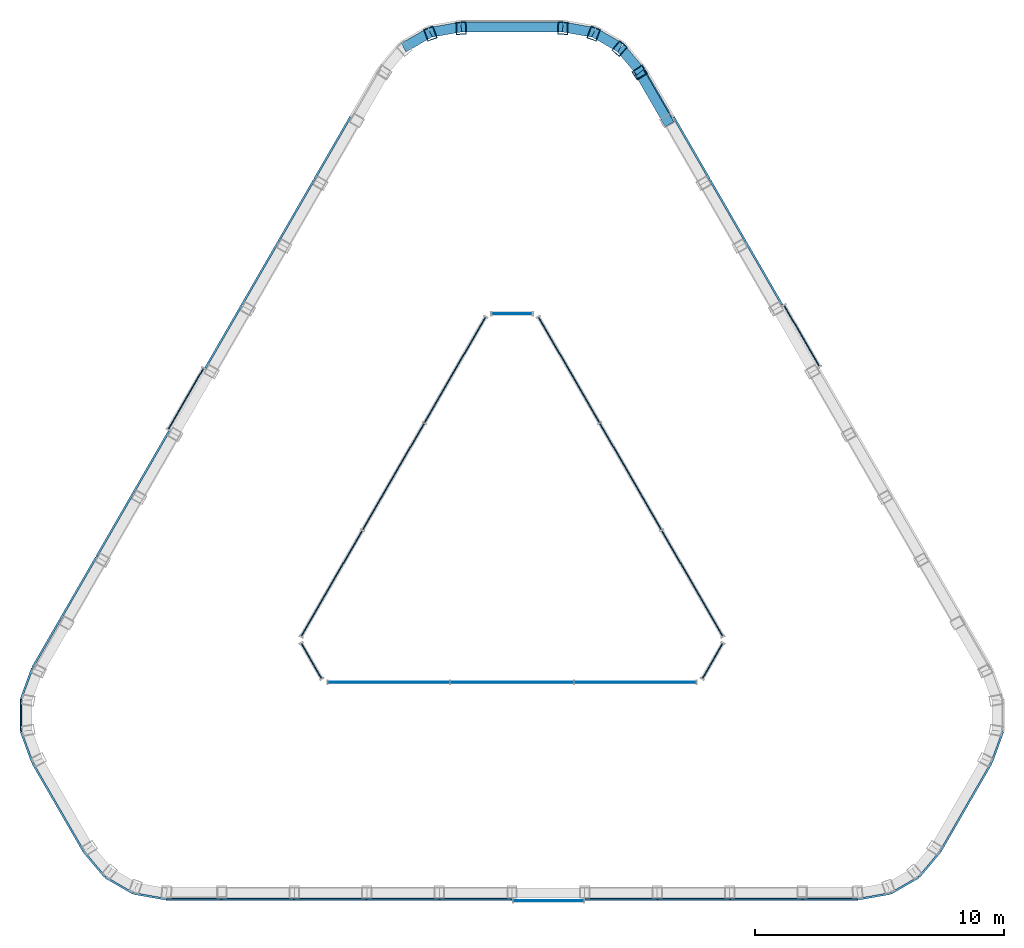
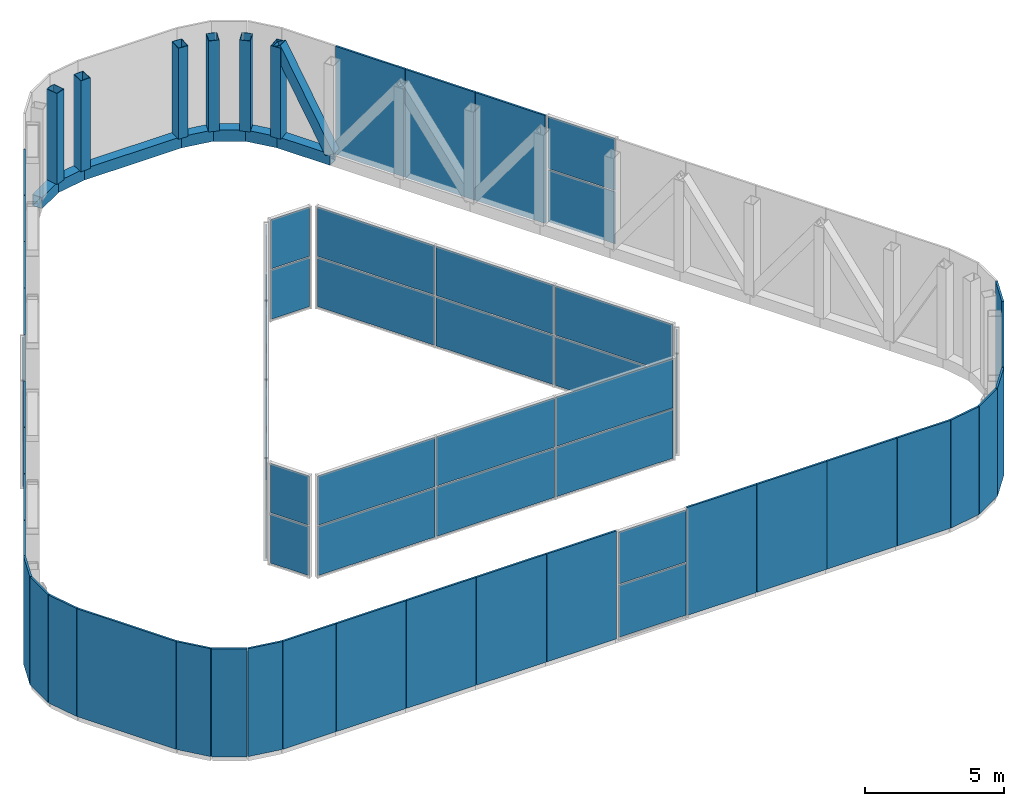
# One storey, part 4 of 5: 62 plates, 14 members, 9 elements without a shape of their own.
"""IFC4 building model written with IfcOpenShell, lengths in metres."""

from ifc_helpers import new_model, si_unit, direction, frame, origin, origin_2d, place, context, subcontext, project, spatial, rectangle, hollow_rectangle, extrude, material, layer, layer_set, material_profile, profile_set, type_object, element, aggregate, save


model = new_model("IFC4")

# Units and contexts
model_context = context("Model", 3, precision=1e-05, world=origin(), true_north=direction((0.0, 1.0)))
body_context = subcontext(model_context, "Body", "Model", "MODEL_VIEW")
ifc_project = project(units=[si_unit("LENGTHUNIT", "METRE"), si_unit("AREAUNIT", "SQUARE_METRE"), si_unit("VOLUMEUNIT", "CUBIC_METRE"), si_unit("PLANEANGLEUNIT", "RADIAN"), si_unit("MASSUNIT", "GRAM", prefix="KILO")], contexts=[model_context])

# Site, building, storey
site_placement = place(None, origin())
site = spatial("IfcSite", under=ifc_project, at=site_placement, CompositionType="ELEMENT")
building_placement = place(site_placement, origin())
building = spatial("IfcBuilding", under=site, at=building_placement, Name="Apuvela Tower Hotel", CompositionType="ELEMENT")
storey_placement = place(building_placement, frame((0.0, 0.0, 366.800048828125)))
storey = spatial("IfcBuildingStorey", under=building, at=storey_placement, Name="R-6 ROOF", CompositionType="ELEMENT", Elevation=366.800048828125)

# Members
ifc_material_1 = material(Name="Steel S355, black paint system", Category="steel")
ifc_material_profile_1 = material_profile(ifc_material_1, hollow_rectangle(XDim=0.39990234375, YDim=0.39990234375, WallThickness=0.01611328125, at=origin_2d()), Name="HSS 400x400x16")
ifc_profile_set_1 = profile_set([ifc_material_profile_1], Name="Steel S355, black paint system")
member_type_1 = type_object("IfcMemberType", Name="ENV-CROWN-BRACE-400x400", PredefinedType="BRACE", material=ifc_profile_set_1)
member_1_placement = place(storey_placement, frame((6.236572265625, 17.050537109375, 0.25), z_axis=(-0.242948815269, 0.420705831623, 0.874060911148), x_axis=(-0.865977099567, -0.500083656027, 0.0)))
element("IfcMember", 1, at=member_1_placement, inside=storey, type_object=member_type_1, Name="Crown frame brace 50", PredefinedType="BRACE", context=body_context, shape_type="SweptSolid", body=[
    extrude(hollow_rectangle(XDim=0.39990234375, YDim=0.39990234375, WallThickness=0.01611328125, at=origin_2d()), origin(), (0.0, 0.0, 1.0), 4.576416015625),
])
ifc_material_profile_2 = material_profile(ifc_material_1, hollow_rectangle(XDim=0.39990234375, YDim=0.5, WallThickness=0.02001953125, at=origin_2d()), Name="HSS 500x400x20")
ifc_profile_set_2 = profile_set([ifc_material_profile_2], Name="Steel S355, black paint system")
member_type_2 = type_object("IfcMemberType", Name="ENV-CROWN-POST-500x400", PredefinedType="POST", material=ifc_profile_set_2)
for number, where, z_axis, x_axis, name in (
    (2, (4.318115234375, 19.9375, 0.25), (0.0, 0.0, 1.0), (-0.763579690807, 0.645713601984, 0.0), "Crown frame post 1"),
    (3, (3.277099609375, 20.538330078125, 0.25), (0.0, 0.0, 1.0), (-0.940994228291, 0.33842260906, 0.0), "Crown frame post 2"),
    (4, (2.041015625, 20.75634765625, 0.25), (0.0, 0.0, 1.0), (-0.999161138639, 0.040951422845, 0.0), "Crown frame post 3"),
    (5, (-2.041015625, 20.75634765625, 0.25), (0.0, 0.0, 1.0), (-0.999161138639, -0.040951422845, 0.0), "Crown frame post 4"),
    (6, (-3.277099609375, 20.538330078125, 0.25), (0.0, 0.0, 1.0), (-0.940994228291, -0.33842260906, 0.0), "Crown frame post 5"),
    (7, (5.124755859375, 18.975830078125, 0.25), (0.0, 0.0, 1.0), (-0.553467140498, 0.832871013056, 0.0), "Crown frame post 51"),
):
    element("IfcMember", number, at=place(storey_placement, frame(where, z_axis=z_axis, x_axis=x_axis)), inside=storey, type_object=member_type_2, Name=name, PredefinedType="POST", context=body_context, shape_type="SweptSolid", body=[
        extrude(hollow_rectangle(XDim=0.39990234375, YDim=0.5, WallThickness=0.02001953125, at=origin_2d()), origin(), (0.0, 0.0, 1.0), 4.0),
    ])
ifc_material_profile_3 = material_profile(ifc_material_1, hollow_rectangle(XDim=0.39990234375, YDim=0.5, WallThickness=0.01611328125, at=origin_2d()), Name="HSS 500x400x16")
ifc_profile_set_3 = profile_set([ifc_material_profile_3], Name="Steel S355, black paint system")
member_type_3 = type_object("IfcMemberType", Name="ENV-CROWN-RING-500x400", PredefinedType="STRINGER", material=ifc_profile_set_3)
member_2_placement = place(storey_placement, frame((4.3505859375, 19.976318359375, 0.0), z_axis=(-0.865992225662, 0.50005746179, 0.0), x_axis=(-0.50005746179, -0.865992225662, 0.0)))
element("IfcMember", 8, at=member_2_placement, inside=storey, type_object=member_type_3, Name="Crown frame ring beam 6.1", PredefinedType="STRINGER", context=body_context, shape_type="SweptSolid", body=[
    extrude(hollow_rectangle(XDim=0.39990234375, YDim=0.5, WallThickness=0.01611328125, at=origin_2d()), origin(), (0.0, 0.0, 1.0), 1.219482421875),
])
member_3_placement = place(storey_placement, frame((3.29443359375, 20.586181640625, 0.0), z_axis=(-0.984810677158, 0.173631593197, 0.0), x_axis=(-0.173631593197, -0.984810677158, 0.0)))
element("IfcMember", 9, at=member_3_placement, inside=storey, type_object=member_type_3, Name="Crown frame ring beam 6.2", PredefinedType="STRINGER", context=body_context, shape_type="SweptSolid", body=[
    extrude(hollow_rectangle(XDim=0.39990234375, YDim=0.5, WallThickness=0.01611328125, at=origin_2d()), origin(), (0.0, 0.0, 1.0), 1.268310546875),
])
member_4_placement = place(storey_placement, frame((2.04541015625, 20.806396484375, 0.0), z_axis=(-1.0, 0.0, 0.0), x_axis=(0.0, -1.0, 0.0)))
element("IfcMember", 10, at=member_4_placement, inside=storey, type_object=member_type_3, Name="Crown frame ring beam 6.3", PredefinedType="STRINGER", context=body_context, shape_type="SweptSolid", body=[
    extrude(hollow_rectangle(XDim=0.39990234375, YDim=0.5, WallThickness=0.01611328125, at=origin_2d()), origin(), (0.0, 0.0, 1.0), 4.0908203125),
])
member_5_placement = place(storey_placement, frame((-2.04541015625, 20.806396484375, 0.0), z_axis=(-0.984810677158, -0.173631593197, 0.0), x_axis=(0.173631593197, -0.984810677158, 0.0)))
element("IfcMember", 11, at=member_5_placement, inside=storey, type_object=member_type_3, Name="Crown frame ring beam 6.4", PredefinedType="STRINGER", context=body_context, shape_type="SweptSolid", body=[
    extrude(hollow_rectangle(XDim=0.39990234375, YDim=0.5, WallThickness=0.01611328125, at=origin_2d()), origin(), (0.0, 0.0, 1.0), 1.268310546875),
])
member_6_placement = place(storey_placement, frame((-3.29443359375, 20.586181640625, 0.0), z_axis=(-0.865992225662, -0.50005746179, 0.0), x_axis=(0.50005746179, -0.865992225662, 0.0)))
element("IfcMember", 12, at=member_6_placement, inside=storey, type_object=member_type_3, Name="Crown frame ring beam 6.5", PredefinedType="STRINGER", context=body_context, shape_type="SweptSolid", body=[
    extrude(hollow_rectangle(XDim=0.39990234375, YDim=0.5, WallThickness=0.01611328125, at=origin_2d()), origin(), (0.0, 0.0, 1.0), 1.219482421875),
])
member_7_placement = place(storey_placement, frame((6.27783203125, 17.07861328125, 0.0), z_axis=(-0.499941024108, 0.866059450854, 0.0), x_axis=(-0.866059450854, -0.499941024108, 0.0)))
element("IfcMember", 13, at=member_7_placement, inside=storey, type_object=member_type_3, Name="Crown frame ring beam 6.50", PredefinedType="STRINGER", context=body_context, shape_type="SweptSolid", body=[
    extrude(hollow_rectangle(XDim=0.39990234375, YDim=0.5, WallThickness=0.01611328125, at=origin_2d()), origin(), (0.0, 0.0, 1.0), 2.223876953125),
])
member_8_placement = place(storey_placement, frame((5.166015625, 19.004638671875, 0.0), z_axis=(-0.642830918567, 0.766008100567, 0.0), x_axis=(-0.766008100567, -0.642830918567, 0.0)))
element("IfcMember", 14, at=member_8_placement, inside=storey, type_object=member_type_3, Name="Crown frame ring beam 6.51", PredefinedType="STRINGER", context=body_context, shape_type="SweptSolid", body=[
    extrude(hollow_rectangle(XDim=0.39990234375, YDim=0.5, WallThickness=0.01611328125, at=origin_2d()), origin(), (0.0, 0.0, 1.0), 1.2685546875),
])

# Plates
ifc_material_2 = material(Name="Aluminium 6063-T6, black anodised perforated panel", Category="aluminium")
ifc_layer_1 = layer(ifc_material_2, 0.080078125)
ifc_layer_set_1 = layer_set([ifc_layer_1], Name="ENV-CROWN-SCREEN-80")
plate_type_1 = type_object("IfcPlateType", Name="ENV-CROWN-SCREEN-80", PredefinedType="SHEET", material=ifc_layer_set_1)
for number, where, z_axis, x_axis, name in (
    (15, (-7.206298828125, 15.95068359375, 0.0), (0.0, 0.0, 1.0), (-0.5, -0.866025403784, 0.0), "Crown screen 8"),
    (16, (-8.6650390625, 13.42431640625, 0.0), (0.0, 0.0, 1.0), (-0.5, -0.866025403784, 0.0), "Crown screen 9"),
    (17, (-10.12353515625, 10.897705078125, 0.0), (0.0, 0.0, 1.0), (-0.5, -0.866025403784, 0.0), "Crown screen 10"),
    (18, (-11.582275390625, 8.371337890625, 0.0), (0.0, 0.0, 1.0), (-0.5, -0.866025403784, 0.0), "Crown screen 11"),
    (19, (-14.49951171875, 3.318359375, 0.0), (0.0, 0.0, 1.0), (-0.5, -0.866025403784, 0.0), "Crown screen 13"),
    (20, (-15.958251953125, 0.7919921875, 0.0), (0.0, 0.0, 1.0), (-0.5, -0.866025403784, 0.0), "Crown screen 14"),
    (21, (-17.4169921875, -1.734619140625, 0.0), (0.0, 0.0, 1.0), (-0.5, -0.866025403784, 0.0), "Crown screen 15"),
):
    element("IfcPlate", number, at=place(storey_placement, frame(where, z_axis=z_axis, x_axis=x_axis)), inside=storey, type_object=plate_type_1, Name=name, PredefinedType="SHEET", context=body_context, shape_type="SweptSolid", body=[
        extrude(rectangle(XDim=2.897216796875, YDim=0.080078125, at=origin_2d()), origin(), (0.0, 0.0, 1.0), 4.75),
    ])
plate_1_placement = place(storey_placement, frame((-18.702880859375, -3.962158203125, 0.0), z_axis=(0.0, 0.0, 1.0), x_axis=(-0.5, -0.866025403784, 0.0)))
element("IfcPlate", 22, at=plate_1_placement, inside=storey, type_object=plate_type_1, Name="Crown screen 16", PredefinedType="SHEET", context=body_context, shape_type="SweptSolid", body=[
    extrude(rectangle(XDim=2.20751953125, YDim=0.080078125, at=origin_2d()), origin(), (0.0, 0.0, 1.0), 4.75),
])
plate_2_placement = place(storey_placement, frame((-19.487548828125, -5.552490234375, 0.0), z_axis=(0.0, 0.0, 1.0), x_axis=(-0.342020143326, -0.939692620786, 0.0)))
element("IfcPlate", 23, at=plate_2_placement, inside=storey, type_object=plate_type_1, Name="Crown screen 17", PredefinedType="SHEET", context=body_context, shape_type="SweptSolid", body=[
    extrude(rectangle(XDim=1.311767578125, YDim=0.080078125, at=origin_2d()), origin(), (0.0, 0.0, 1.0), 4.75),
])
plate_3_placement = place(storey_placement, frame((-19.71533203125, -6.830078125, 0.0), z_axis=(0.0, 0.0, 1.0), x_axis=(0.0, -1.0, 0.0)))
element("IfcPlate", 24, at=plate_3_placement, inside=storey, type_object=plate_type_1, Name="Crown screen 18", PredefinedType="SHEET", context=body_context, shape_type="SweptSolid", body=[
    extrude(rectangle(XDim=1.2841796875, YDim=0.080078125, at=origin_2d()), origin(), (0.0, 0.0, 1.0), 4.75),
])
plate_4_placement = place(storey_placement, frame((-19.487548828125, -8.10791015625, 0.0), z_axis=(0.0, 0.0, 1.0), x_axis=(0.342020143326, -0.939692620786, 0.0)))
element("IfcPlate", 25, at=plate_4_placement, inside=storey, type_object=plate_type_1, Name="Crown screen 19", PredefinedType="SHEET", context=body_context, shape_type="SweptSolid", body=[
    extrude(rectangle(XDim=1.311767578125, YDim=0.080078125, at=origin_2d()), origin(), (0.0, 0.0, 1.0), 4.75),
])
plate_5_placement = place(storey_placement, frame((-18.226806640625, -10.523193359375, 0.0), z_axis=(0.0, 0.0, 1.0), x_axis=(0.5, -0.866025403784, 0.0)))
element("IfcPlate", 26, at=plate_5_placement, inside=storey, type_object=plate_type_1, Name="Crown screen 20", PredefinedType="SHEET", context=body_context, shape_type="SweptSolid", body=[
    extrude(rectangle(XDim=4.11279296875, YDim=0.080078125, at=origin_2d()), origin(), (0.0, 0.0, 1.0), 4.75),
])
plate_6_placement = place(storey_placement, frame((-16.765380859375, -12.82275390625, 0.0), z_axis=(0.0, 0.0, 1.0), x_axis=(0.642787609687, -0.766044443119, 0.0)))
element("IfcPlate", 27, at=plate_6_placement, inside=storey, type_object=plate_type_1, Name="Crown screen 21", PredefinedType="SHEET", context=body_context, shape_type="SweptSolid", body=[
    extrude(rectangle(XDim=1.311767578125, YDim=0.080078125, at=origin_2d()), origin(), (0.0, 0.0, 1.0), 4.75),
])
plate_7_placement = place(storey_placement, frame((-15.772705078125, -13.658935546875, 0.0), z_axis=(0.0, 0.0, 1.0), x_axis=(0.866025403784, -0.5, 0.0)))
element("IfcPlate", 28, at=plate_7_placement, inside=storey, type_object=plate_type_1, Name="Crown screen 22", PredefinedType="SHEET", context=body_context, shape_type="SweptSolid", body=[
    extrude(rectangle(XDim=1.2841796875, YDim=0.080078125, at=origin_2d()), origin(), (0.0, 0.0, 1.0), 4.75),
])
plate_8_placement = place(storey_placement, frame((-14.55224609375, -14.1005859375, 0.0), z_axis=(0.0, 0.0, 1.0), x_axis=(0.984807753012, -0.173648177667, 0.0)))
element("IfcPlate", 29, at=plate_8_placement, inside=storey, type_object=plate_type_1, Name="Crown screen 23", PredefinedType="SHEET", context=body_context, shape_type="SweptSolid", body=[
    extrude(rectangle(XDim=1.311767578125, YDim=0.080078125, at=origin_2d()), origin(), (0.0, 0.0, 1.0), 4.75),
])
plate_9_placement = place(storey_placement, frame((-12.782958984375, -14.21630859375, 0.0), z_axis=(0.0, 0.0, 1.0), x_axis=(1.0, 0.0, 0.0)))
element("IfcPlate", 30, at=plate_9_placement, inside=storey, type_object=plate_type_1, Name="Crown screen 24", PredefinedType="SHEET", context=body_context, shape_type="SweptSolid", body=[
    extrude(rectangle(XDim=2.20751953125, YDim=0.080078125, at=origin_2d()), origin(), (0.0, 0.0, 1.0), 4.75),
])
for number, where, z_axis, x_axis, name in (
    (31, (-10.210693359375, -14.21630859375, 0.0), (0.0, 0.0, 1.0), (1.0, 0.0, 0.0), "Crown screen 25"),
    (32, (-7.293212890625, -14.21630859375, 0.0), (0.0, 0.0, 1.0), (1.0, 0.0, 0.0), "Crown screen 26"),
    (33, (-4.3759765625, -14.21630859375, 0.0), (0.0, 0.0, 1.0), (1.0, 0.0, 0.0), "Crown screen 27"),
    (34, (-1.458740234375, -14.21630859375, 0.0), (0.0, 0.0, 1.0), (1.0, 0.0, 0.0), "Crown screen 28"),
    (35, (4.3759765625, -14.21630859375, 0.0), (0.0, 0.0, 1.0), (1.0, 0.0, 0.0), "Crown screen 30"),
    (36, (7.293212890625, -14.21630859375, 0.0), (0.0, 0.0, 1.0), (1.0, 0.0, 0.0), "Crown screen 31"),
    (37, (10.210693359375, -14.21630859375, 0.0), (0.0, 0.0, 1.0), (1.0, 0.0, 0.0), "Crown screen 32"),
):
    element("IfcPlate", number, at=place(storey_placement, frame(where, z_axis=z_axis, x_axis=x_axis)), inside=storey, type_object=plate_type_1, Name=name, PredefinedType="SHEET", context=body_context, shape_type="SweptSolid", body=[
        extrude(rectangle(XDim=2.897216796875, YDim=0.080078125, at=origin_2d()), origin(), (0.0, 0.0, 1.0), 4.75),
    ])
plate_10_placement = place(storey_placement, frame((12.782958984375, -14.21630859375, 0.0), z_axis=(0.0, 0.0, 1.0), x_axis=(1.0, 0.0, 0.0)))
element("IfcPlate", 38, at=plate_10_placement, inside=storey, type_object=plate_type_1, Name="Crown screen 33", PredefinedType="SHEET", context=body_context, shape_type="SweptSolid", body=[
    extrude(rectangle(XDim=2.20751953125, YDim=0.080078125, at=origin_2d()), origin(), (0.0, 0.0, 1.0), 4.75),
])
plate_11_placement = place(storey_placement, frame((14.55224609375, -14.1005859375, 0.0), z_axis=(0.0, 0.0, 1.0), x_axis=(0.984807753012, 0.173648177667, 0.0)))
element("IfcPlate", 39, at=plate_11_placement, inside=storey, type_object=plate_type_1, Name="Crown screen 34", PredefinedType="SHEET", context=body_context, shape_type="SweptSolid", body=[
    extrude(rectangle(XDim=1.311767578125, YDim=0.080078125, at=origin_2d()), origin(), (0.0, 0.0, 1.0), 4.75),
])
plate_12_placement = place(storey_placement, frame((15.772705078125, -13.658935546875, 0.0), z_axis=(0.0, 0.0, 1.0), x_axis=(0.866025403784, 0.5, 0.0)))
element("IfcPlate", 40, at=plate_12_placement, inside=storey, type_object=plate_type_1, Name="Crown screen 35", PredefinedType="SHEET", context=body_context, shape_type="SweptSolid", body=[
    extrude(rectangle(XDim=1.2841796875, YDim=0.080078125, at=origin_2d()), origin(), (0.0, 0.0, 1.0), 4.75),
])
plate_13_placement = place(storey_placement, frame((16.765380859375, -12.82275390625, 0.0), z_axis=(0.0, 0.0, 1.0), x_axis=(0.642787609687, 0.766044443119, 0.0)))
element("IfcPlate", 41, at=plate_13_placement, inside=storey, type_object=plate_type_1, Name="Crown screen 36", PredefinedType="SHEET", context=body_context, shape_type="SweptSolid", body=[
    extrude(rectangle(XDim=1.311767578125, YDim=0.080078125, at=origin_2d()), origin(), (0.0, 0.0, 1.0), 4.75),
])
plate_14_placement = place(storey_placement, frame((18.226806640625, -10.523193359375, 0.0), z_axis=(0.0, 0.0, 1.0), x_axis=(0.5, 0.866025403784, 0.0)))
element("IfcPlate", 42, at=plate_14_placement, inside=storey, type_object=plate_type_1, Name="Crown screen 37", PredefinedType="SHEET", context=body_context, shape_type="SweptSolid", body=[
    extrude(rectangle(XDim=4.11279296875, YDim=0.080078125, at=origin_2d()), origin(), (0.0, 0.0, 1.0), 4.75),
])
plate_15_placement = place(storey_placement, frame((19.487548828125, -8.10791015625, 0.0), z_axis=(0.0, 0.0, 1.0), x_axis=(0.342020143326, 0.939692620786, 0.0)))
element("IfcPlate", 43, at=plate_15_placement, inside=storey, type_object=plate_type_1, Name="Crown screen 38", PredefinedType="SHEET", context=body_context, shape_type="SweptSolid", body=[
    extrude(rectangle(XDim=1.311767578125, YDim=0.080078125, at=origin_2d()), origin(), (0.0, 0.0, 1.0), 4.75),
])
for number, where, z_axis, x_axis, name in (
    (44, (10.12353515625, 10.897705078125, 0.0), (0.0, 0.0, 1.0), (-0.5, 0.866025403784, 0.0), "Crown screen 47"),
    (45, (8.6650390625, 13.42431640625, 0.0), (0.0, 0.0, 1.0), (-0.5, 0.866025403784, 0.0), "Crown screen 48"),
    (46, (7.206298828125, 15.95068359375, 0.0), (0.0, 0.0, 1.0), (-0.5, 0.866025403784, 0.0), "Crown screen 49"),
):
    element("IfcPlate", number, at=place(storey_placement, frame(where, z_axis=z_axis, x_axis=x_axis)), inside=storey, type_object=plate_type_1, Name=name, PredefinedType="SHEET", context=body_context, shape_type="SweptSolid", body=[
        extrude(rectangle(XDim=2.897216796875, YDim=0.080078125, at=origin_2d()), origin(), (0.0, 0.0, 1.0), 4.75),
    ])

# Curtain wall, plates
ifc_material_3 = material(Name="Aluminium 6063-T6, dark bronze anodised", Category="aluminium")
ifc_layer_2 = layer(ifc_material_3, 0.199951171875)
ifc_layer_set_2 = layer_set([ifc_layer_2], Name="ENV-CW-C")
curtain_wall_type_1 = type_object("IfcCurtainWallType", Name="ENV-CW-C", PredefinedType="NOTDEFINED", material=ifc_layer_set_2)
curtain_wall_1_placement = place(storey_placement, origin())
curtain_wall_1 = element("IfcCurtainWall", 47, at=curtain_wall_1_placement, inside=storey, type_object=curtain_wall_type_1, Name="Crown glazing 12 R-6 ROOF", PredefinedType="NOTDEFINED")
ifc_material_4 = material(Name="Glass, dark tinted laminated insulated glazing unit", Category="glass")
ifc_layer_3 = layer(ifc_material_4, 0.0400390625)
ifc_layer_set_3 = layer_set([ifc_layer_3], Name="ENV-PANEL-IGU-40")
plate_type_2 = type_object("IfcPlateType", Name="ENV-PANEL-IGU-40", PredefinedType="CURTAIN_PANEL", material=ifc_layer_set_3)
plate_16_placement = place(storey_placement, frame((-13.093017578125, 5.874755859375, 0.06494140625), z_axis=(0.0, 0.0, 1.0), x_axis=(-0.499980601426, -0.866036603266, 0.0)))
plate_16 = element("IfcPlate", 48, at=plate_16_placement, type_object=plate_type_2, Name="CW-C panel 1.1", PredefinedType="CURTAIN_PANEL", context=body_context, shape_type="SweptSolid", body=[
    extrude(rectangle(XDim=2.787353515625, YDim=0.0400390625, at=origin_2d()), origin(), (0.0, 0.0, 1.0), 2.277587890625),
])
plate_17_placement = place(storey_placement, frame((-13.093017578125, 5.874755859375, 2.4072265625), z_axis=(0.0, 0.0, 1.0), x_axis=(-0.499980601426, -0.866036603266, 0.0)))
plate_17 = element("IfcPlate", 49, at=plate_17_placement, type_object=plate_type_2, Name="CW-C panel 1.2", PredefinedType="CURTAIN_PANEL", context=body_context, shape_type="SweptSolid", body=[
    extrude(rectangle(XDim=2.787353515625, YDim=0.0400390625, at=origin_2d()), origin(), (0.0, 0.0, 1.0), 2.277587890625),
])
aggregate(curtain_wall_1, [plate_16, plate_17])

curtain_wall_2_placement = place(storey_placement, origin())
curtain_wall_2 = element("IfcCurtainWall", 50, at=curtain_wall_2_placement, inside=storey, type_object=curtain_wall_type_1, Name="Crown glazing 29 R-6 ROOF", PredefinedType="NOTDEFINED")
plate_18_placement = place(storey_placement, frame((1.458740234375, -14.276123046875, 0.06494140625), z_axis=(0.0, 0.0, 1.0), x_axis=(1.0, 0.0, 0.0)))
plate_18 = element("IfcPlate", 51, at=plate_18_placement, type_object=plate_type_2, Name="CW-C panel 1.1", PredefinedType="CURTAIN_PANEL", context=body_context, shape_type="SweptSolid", body=[
    extrude(rectangle(XDim=2.787353515625, YDim=0.0400390625, at=origin_2d()), origin(), (0.0, 0.0, 1.0), 2.277587890625),
])
plate_19_placement = place(storey_placement, frame((1.458740234375, -14.276123046875, 2.4072265625), z_axis=(0.0, 0.0, 1.0), x_axis=(1.0, 0.0, 0.0)))
plate_19 = element("IfcPlate", 52, at=plate_19_placement, type_object=plate_type_2, Name="CW-C panel 1.2", PredefinedType="CURTAIN_PANEL", context=body_context, shape_type="SweptSolid", body=[
    extrude(rectangle(XDim=2.787353515625, YDim=0.0400390625, at=origin_2d()), origin(), (0.0, 0.0, 1.0), 2.277587890625),
])
aggregate(curtain_wall_2, [plate_18, plate_19])

curtain_wall_3_placement = place(storey_placement, origin())
curtain_wall_3 = element("IfcCurtainWall", 53, at=curtain_wall_3_placement, inside=storey, type_object=curtain_wall_type_1, Name="Crown glazing 46 R-6 ROOF", PredefinedType="NOTDEFINED")
plate_20_placement = place(storey_placement, frame((11.63427734375, 8.4013671875, 0.06494140625), z_axis=(0.0, 0.0, 1.0), x_axis=(-0.500006310028, 0.866021760657, 0.0)))
plate_20 = element("IfcPlate", 54, at=plate_20_placement, type_object=plate_type_2, Name="CW-C panel 1.1", PredefinedType="CURTAIN_PANEL", context=body_context, shape_type="SweptSolid", body=[
    extrude(rectangle(XDim=2.787353515625, YDim=0.0400390625, at=origin_2d()), origin(), (0.0, 0.0, 1.0), 2.277587890625),
])
plate_21_placement = place(storey_placement, frame((11.63427734375, 8.4013671875, 2.4072265625), z_axis=(0.0, 0.0, 1.0), x_axis=(-0.500006310028, 0.866021760657, 0.0)))
plate_21 = element("IfcPlate", 55, at=plate_21_placement, type_object=plate_type_2, Name="CW-C panel 1.2", PredefinedType="CURTAIN_PANEL", context=body_context, shape_type="SweptSolid", body=[
    extrude(rectangle(XDim=2.787353515625, YDim=0.0400390625, at=origin_2d()), origin(), (0.0, 0.0, 1.0), 2.277587890625),
])
aggregate(curtain_wall_3, [plate_20, plate_21])

ifc_layer_4 = layer(ifc_material_3, 0.199951171875)
ifc_layer_set_4 = layer_set([ifc_layer_4], Name="ENV-CW-A")
curtain_wall_type_2 = type_object("IfcCurtainWallType", Name="ENV-CW-A", PredefinedType="NOTDEFINED", material=ifc_layer_set_4)
curtain_wall_4_placement = place(storey_placement, origin())
curtain_wall_4 = element("IfcCurtainWall", 56, at=curtain_wall_4_placement, inside=storey, type_object=curtain_wall_type_2, Name="Atrium glazing 1 R-6 ROOF", PredefinedType="NOTDEFINED")
plate_22_placement = place(storey_placement, frame((0.0, 9.300048828125, 0.06494140625), z_axis=(0.0, 0.0, 1.0), x_axis=(-1.0, 0.0, 0.0)))
plate_22 = element("IfcPlate", 57, at=plate_22_placement, type_object=plate_type_2, Name="CW-A panel 1.1", PredefinedType="CURTAIN_PANEL", context=body_context, shape_type="SweptSolid", body=[
    extrude(rectangle(XDim=1.60205078125, YDim=0.0400390625, at=origin_2d()), origin(), (0.0, 0.0, 1.0), 2.152587890625),
])
plate_23_placement = place(storey_placement, frame((0.0, 9.300048828125, 2.2822265625), z_axis=(0.0, 0.0, 1.0), x_axis=(-1.0, 0.0, 0.0)))
plate_23 = element("IfcPlate", 58, at=plate_23_placement, type_object=plate_type_2, Name="CW-A panel 1.2", PredefinedType="CURTAIN_PANEL", context=body_context, shape_type="SweptSolid", body=[
    extrude(rectangle(XDim=1.60205078125, YDim=0.0400390625, at=origin_2d()), origin(), (0.0, 0.0, 1.0), 2.152587890625),
])
aggregate(curtain_wall_4, [plate_22, plate_23])

curtain_wall_5_placement = place(storey_placement, origin())
curtain_wall_5 = element("IfcCurtainWall", 59, at=curtain_wall_5_placement, inside=storey, type_object=curtain_wall_type_2, Name="Atrium glazing 2 R-6 ROOF", PredefinedType="NOTDEFINED")
plate_24_placement = place(storey_placement, frame((-2.28857421875, 7.035888671875, 0.06494140625), z_axis=(0.0, 0.0, 1.0), x_axis=(-0.499999069899, -0.866025940778, 0.0)))
plate_24 = element("IfcPlate", 60, at=plate_24_placement, type_object=plate_type_2, Name="CW-A panel 1.1", PredefinedType="CURTAIN_PANEL", context=body_context, shape_type="SweptSolid", body=[
    extrude(rectangle(XDim=4.86767578125, YDim=0.0400390625, at=origin_2d()), origin(), (0.0, 0.0, 1.0), 2.152587890625),
])
plate_25_placement = place(storey_placement, frame((-2.28857421875, 7.035888671875, 2.2822265625), z_axis=(0.0, 0.0, 1.0), x_axis=(-0.499999069899, -0.866025940778, 0.0)))
plate_25 = element("IfcPlate", 61, at=plate_25_placement, type_object=plate_type_2, Name="CW-A panel 1.2", PredefinedType="CURTAIN_PANEL", context=body_context, shape_type="SweptSolid", body=[
    extrude(rectangle(XDim=4.86767578125, YDim=0.0400390625, at=origin_2d()), origin(), (0.0, 0.0, 1.0), 2.152587890625),
])
plate_26_placement = place(storey_placement, frame((-4.76318359375, 2.75, 0.06494140625), z_axis=(0.0, 0.0, 1.0), x_axis=(-0.499999069899, -0.866025940778, 0.0)))
plate_26 = element("IfcPlate", 62, at=plate_26_placement, type_object=plate_type_2, Name="CW-A panel 2.1", PredefinedType="CURTAIN_PANEL", context=body_context, shape_type="SweptSolid", body=[
    extrude(rectangle(XDim=4.900146484375, YDim=0.0400390625, at=origin_2d()), origin(), (0.0, 0.0, 1.0), 2.152587890625),
])
plate_27_placement = place(storey_placement, frame((-4.76318359375, 2.75, 2.2822265625), z_axis=(0.0, 0.0, 1.0), x_axis=(-0.499999069899, -0.866025940778, 0.0)))
plate_27 = element("IfcPlate", 63, at=plate_27_placement, type_object=plate_type_2, Name="CW-A panel 2.2", PredefinedType="CURTAIN_PANEL", context=body_context, shape_type="SweptSolid", body=[
    extrude(rectangle(XDim=4.900146484375, YDim=0.0400390625, at=origin_2d()), origin(), (0.0, 0.0, 1.0), 2.152587890625),
])
plate_28_placement = place(storey_placement, frame((-7.237548828125, -1.535888671875, 0.06494140625), z_axis=(0.0, 0.0, 1.0), x_axis=(-0.499999069899, -0.866025940778, 0.0)))
plate_28 = element("IfcPlate", 64, at=plate_28_placement, type_object=plate_type_2, Name="CW-A panel 3.1", PredefinedType="CURTAIN_PANEL", context=body_context, shape_type="SweptSolid", body=[
    extrude(rectangle(XDim=4.86767578125, YDim=0.0400390625, at=origin_2d()), origin(), (0.0, 0.0, 1.0), 2.152587890625),
])
plate_29_placement = place(storey_placement, frame((-7.237548828125, -1.535888671875, 2.2822265625), z_axis=(0.0, 0.0, 1.0), x_axis=(-0.499999069899, -0.866025940778, 0.0)))
plate_29 = element("IfcPlate", 65, at=plate_29_placement, type_object=plate_type_2, Name="CW-A panel 3.2", PredefinedType="CURTAIN_PANEL", context=body_context, shape_type="SweptSolid", body=[
    extrude(rectangle(XDim=4.86767578125, YDim=0.0400390625, at=origin_2d()), origin(), (0.0, 0.0, 1.0), 2.152587890625),
])
aggregate(curtain_wall_5, [plate_24, plate_25, plate_26, plate_27, plate_28, plate_29])

curtain_wall_6_placement = place(storey_placement, origin())
curtain_wall_6 = element("IfcCurtainWall", 66, at=curtain_wall_6_placement, inside=storey, type_object=curtain_wall_type_2, Name="Atrium glazing 3 R-6 ROOF", PredefinedType="NOTDEFINED")
plate_30_placement = place(storey_placement, frame((-8.053955078125, -4.64990234375, 0.06494140625), z_axis=(0.0, 0.0, 1.0), x_axis=(0.49998899972, -0.866031754706, 0.0)))
plate_30 = element("IfcPlate", 67, at=plate_30_placement, type_object=plate_type_2, Name="CW-A panel 1.1", PredefinedType="CURTAIN_PANEL", context=body_context, shape_type="SweptSolid", body=[
    extrude(rectangle(XDim=1.60205078125, YDim=0.0400390625, at=origin_2d()), origin(), (0.0, 0.0, 1.0), 2.152587890625),
])
plate_31_placement = place(storey_placement, frame((-8.053955078125, -4.64990234375, 2.2822265625), z_axis=(0.0, 0.0, 1.0), x_axis=(0.49998899972, -0.866031754706, 0.0)))
plate_31 = element("IfcPlate", 68, at=plate_31_placement, type_object=plate_type_2, Name="CW-A panel 1.2", PredefinedType="CURTAIN_PANEL", context=body_context, shape_type="SweptSolid", body=[
    extrude(rectangle(XDim=1.60205078125, YDim=0.0400390625, at=origin_2d()), origin(), (0.0, 0.0, 1.0), 2.152587890625),
])
aggregate(curtain_wall_6, [plate_30, plate_31])

curtain_wall_7_placement = place(storey_placement, origin())
curtain_wall_7 = element("IfcCurtainWall", 69, at=curtain_wall_7_placement, inside=storey, type_object=curtain_wall_type_2, Name="Atrium glazing 4 R-6 ROOF", PredefinedType="NOTDEFINED")
plate_32_placement = place(storey_placement, frame((-4.948974609375, -5.5, 0.06494140625), z_axis=(0.0, 0.0, 1.0), x_axis=(1.0, 0.0, 0.0)))
plate_32 = element("IfcPlate", 70, at=plate_32_placement, type_object=plate_type_2, Name="CW-A panel 1.1", PredefinedType="CURTAIN_PANEL", context=body_context, shape_type="SweptSolid", body=[
    extrude(rectangle(XDim=4.86767578125, YDim=0.0400390625, at=origin_2d()), origin(), (0.0, 0.0, 1.0), 2.152587890625),
])
plate_33_placement = place(storey_placement, frame((-4.948974609375, -5.5, 2.2822265625), z_axis=(0.0, 0.0, 1.0), x_axis=(1.0, 0.0, 0.0)))
plate_33 = element("IfcPlate", 71, at=plate_33_placement, type_object=plate_type_2, Name="CW-A panel 1.2", PredefinedType="CURTAIN_PANEL", context=body_context, shape_type="SweptSolid", body=[
    extrude(rectangle(XDim=4.86767578125, YDim=0.0400390625, at=origin_2d()), origin(), (0.0, 0.0, 1.0), 2.152587890625),
])
plate_34_placement = place(storey_placement, frame((0.0, -5.5, 0.06494140625), z_axis=(0.0, 0.0, 1.0), x_axis=(1.0, 0.0, 0.0)))
plate_34 = element("IfcPlate", 72, at=plate_34_placement, type_object=plate_type_2, Name="CW-A panel 2.1", PredefinedType="CURTAIN_PANEL", context=body_context, shape_type="SweptSolid", body=[
    extrude(rectangle(XDim=4.900146484375, YDim=0.0400390625, at=origin_2d()), origin(), (0.0, 0.0, 1.0), 2.152587890625),
])
plate_35_placement = place(storey_placement, frame((0.0, -5.5, 2.2822265625), z_axis=(0.0, 0.0, 1.0), x_axis=(1.0, 0.0, 0.0)))
plate_35 = element("IfcPlate", 73, at=plate_35_placement, type_object=plate_type_2, Name="CW-A panel 2.2", PredefinedType="CURTAIN_PANEL", context=body_context, shape_type="SweptSolid", body=[
    extrude(rectangle(XDim=4.900146484375, YDim=0.0400390625, at=origin_2d()), origin(), (0.0, 0.0, 1.0), 2.152587890625),
])
plate_36_placement = place(storey_placement, frame((4.948974609375, -5.5, 0.06494140625), z_axis=(0.0, 0.0, 1.0), x_axis=(1.0, 0.0, 0.0)))
plate_36 = element("IfcPlate", 74, at=plate_36_placement, type_object=plate_type_2, Name="CW-A panel 3.1", PredefinedType="CURTAIN_PANEL", context=body_context, shape_type="SweptSolid", body=[
    extrude(rectangle(XDim=4.86767578125, YDim=0.0400390625, at=origin_2d()), origin(), (0.0, 0.0, 1.0), 2.152587890625),
])
plate_37_placement = place(storey_placement, frame((4.948974609375, -5.5, 2.2822265625), z_axis=(0.0, 0.0, 1.0), x_axis=(1.0, 0.0, 0.0)))
plate_37 = element("IfcPlate", 75, at=plate_37_placement, type_object=plate_type_2, Name="CW-A panel 3.2", PredefinedType="CURTAIN_PANEL", context=body_context, shape_type="SweptSolid", body=[
    extrude(rectangle(XDim=4.86767578125, YDim=0.0400390625, at=origin_2d()), origin(), (0.0, 0.0, 1.0), 2.152587890625),
])
aggregate(curtain_wall_7, [plate_32, plate_33, plate_34, plate_35, plate_36, plate_37])

curtain_wall_8_placement = place(storey_placement, origin())
curtain_wall_8 = element("IfcCurtainWall", 76, at=curtain_wall_8_placement, inside=storey, type_object=curtain_wall_type_2, Name="Atrium glazing 5 R-6 ROOF", PredefinedType="NOTDEFINED")
plate_38_placement = place(storey_placement, frame((8.053955078125, -4.64990234375, 0.06494140625), z_axis=(0.0, 0.0, 1.0), x_axis=(0.49998899972, 0.866031754706, 0.0)))
plate_38 = element("IfcPlate", 77, at=plate_38_placement, type_object=plate_type_2, Name="CW-A panel 1.1", PredefinedType="CURTAIN_PANEL", context=body_context, shape_type="SweptSolid", body=[
    extrude(rectangle(XDim=1.60205078125, YDim=0.0400390625, at=origin_2d()), origin(), (0.0, 0.0, 1.0), 2.152587890625),
])
plate_39_placement = place(storey_placement, frame((8.053955078125, -4.64990234375, 2.2822265625), z_axis=(0.0, 0.0, 1.0), x_axis=(0.49998899972, 0.866031754706, 0.0)))
plate_39 = element("IfcPlate", 78, at=plate_39_placement, type_object=plate_type_2, Name="CW-A panel 1.2", PredefinedType="CURTAIN_PANEL", context=body_context, shape_type="SweptSolid", body=[
    extrude(rectangle(XDim=1.60205078125, YDim=0.0400390625, at=origin_2d()), origin(), (0.0, 0.0, 1.0), 2.152587890625),
])
aggregate(curtain_wall_8, [plate_38, plate_39])

curtain_wall_9_placement = place(storey_placement, origin())
curtain_wall_9 = element("IfcCurtainWall", 79, at=curtain_wall_9_placement, inside=storey, type_object=curtain_wall_type_2, Name="Atrium glazing 6 R-6 ROOF", PredefinedType="NOTDEFINED")
plate_40_placement = place(storey_placement, frame((7.237548828125, -1.535888671875, 0.06494140625), z_axis=(0.0, 0.0, 1.0), x_axis=(-0.499999069899, 0.866025940778, 0.0)))
plate_40 = element("IfcPlate", 80, at=plate_40_placement, type_object=plate_type_2, Name="CW-A panel 1.1", PredefinedType="CURTAIN_PANEL", context=body_context, shape_type="SweptSolid", body=[
    extrude(rectangle(XDim=4.86767578125, YDim=0.0400390625, at=origin_2d()), origin(), (0.0, 0.0, 1.0), 2.152587890625),
])
plate_41_placement = place(storey_placement, frame((7.237548828125, -1.535888671875, 2.2822265625), z_axis=(0.0, 0.0, 1.0), x_axis=(-0.499999069899, 0.866025940778, 0.0)))
plate_41 = element("IfcPlate", 81, at=plate_41_placement, type_object=plate_type_2, Name="CW-A panel 1.2", PredefinedType="CURTAIN_PANEL", context=body_context, shape_type="SweptSolid", body=[
    extrude(rectangle(XDim=4.86767578125, YDim=0.0400390625, at=origin_2d()), origin(), (0.0, 0.0, 1.0), 2.152587890625),
])
plate_42_placement = place(storey_placement, frame((4.76318359375, 2.75, 0.06494140625), z_axis=(0.0, 0.0, 1.0), x_axis=(-0.499999069899, 0.866025940778, 0.0)))
plate_42 = element("IfcPlate", 82, at=plate_42_placement, type_object=plate_type_2, Name="CW-A panel 2.1", PredefinedType="CURTAIN_PANEL", context=body_context, shape_type="SweptSolid", body=[
    extrude(rectangle(XDim=4.900146484375, YDim=0.0400390625, at=origin_2d()), origin(), (0.0, 0.0, 1.0), 2.152587890625),
])
plate_43_placement = place(storey_placement, frame((4.76318359375, 2.75, 2.2822265625), z_axis=(0.0, 0.0, 1.0), x_axis=(-0.499999069899, 0.866025940778, 0.0)))
plate_43 = element("IfcPlate", 83, at=plate_43_placement, type_object=plate_type_2, Name="CW-A panel 2.2", PredefinedType="CURTAIN_PANEL", context=body_context, shape_type="SweptSolid", body=[
    extrude(rectangle(XDim=4.900146484375, YDim=0.0400390625, at=origin_2d()), origin(), (0.0, 0.0, 1.0), 2.152587890625),
])
plate_44_placement = place(storey_placement, frame((2.28857421875, 7.035888671875, 0.06494140625), z_axis=(0.0, 0.0, 1.0), x_axis=(-0.499999069899, 0.866025940778, 0.0)))
plate_44 = element("IfcPlate", 84, at=plate_44_placement, type_object=plate_type_2, Name="CW-A panel 3.1", PredefinedType="CURTAIN_PANEL", context=body_context, shape_type="SweptSolid", body=[
    extrude(rectangle(XDim=4.86767578125, YDim=0.0400390625, at=origin_2d()), origin(), (0.0, 0.0, 1.0), 2.152587890625),
])
plate_45_placement = place(storey_placement, frame((2.28857421875, 7.035888671875, 2.2822265625), z_axis=(0.0, 0.0, 1.0), x_axis=(-0.499999069899, 0.866025940778, 0.0)))
plate_45 = element("IfcPlate", 85, at=plate_45_placement, type_object=plate_type_2, Name="CW-A panel 3.2", PredefinedType="CURTAIN_PANEL", context=body_context, shape_type="SweptSolid", body=[
    extrude(rectangle(XDim=4.86767578125, YDim=0.0400390625, at=origin_2d()), origin(), (0.0, 0.0, 1.0), 2.152587890625),
])
aggregate(curtain_wall_9, [plate_40, plate_41, plate_42, plate_43, plate_44, plate_45])

save(model, "model.ifc")
